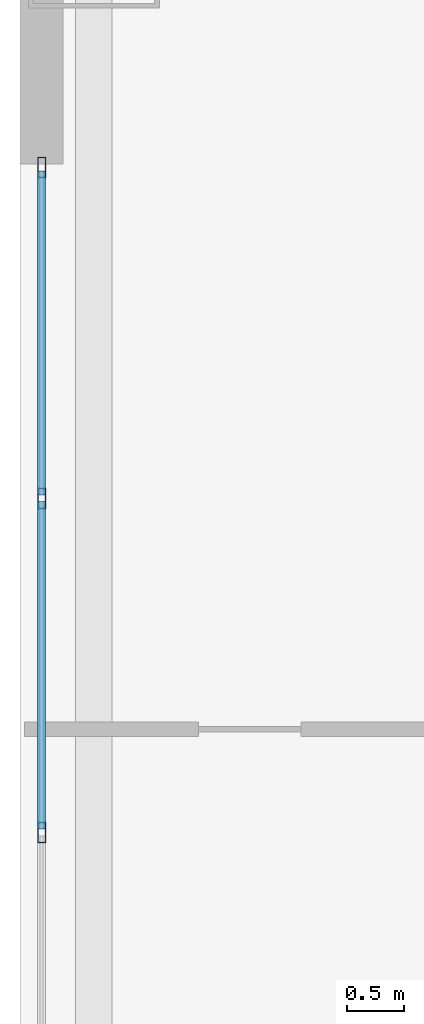
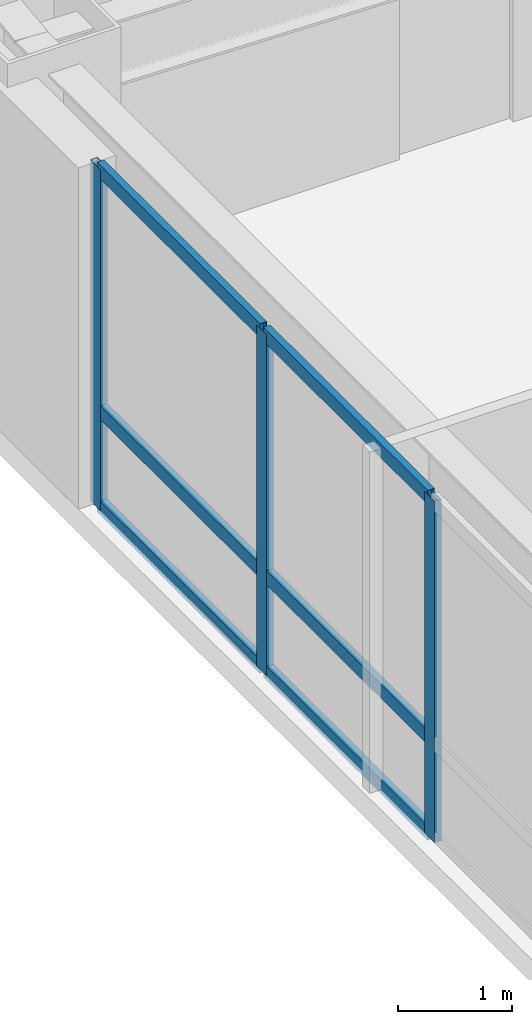
# One storey, part 7 of 28: 9 members, 1 element without a shape of its own.
"""IFC4 building model written with IfcOpenShell, lengths in metres."""

from ifc_helpers import new_model, si_unit, direction, frame, origin, origin_2d, place, context, subcontext, project, spatial, hollow_rectangle, extrude, material, layer, layer_set, material_profile, profile_set, type_object, element, aggregate, save


model = new_model("IFC4")

# Units and contexts
model_context = context("Model", 3, precision=1e-05, world=origin(), true_north=direction((0.0, 1.0)))
body_context = subcontext(model_context, "Body", "Model", "MODEL_VIEW")
ifc_project = project(units=[si_unit("LENGTHUNIT", "METRE"), si_unit("AREAUNIT", "SQUARE_METRE"), si_unit("VOLUMEUNIT", "CUBIC_METRE"), si_unit("PLANEANGLEUNIT", "RADIAN"), si_unit("MASSUNIT", "GRAM", prefix="KILO")], contexts=[model_context])

# Site, building, storey
site_placement = place(None, origin())
site = spatial("IfcSite", under=ifc_project, at=site_placement, CompositionType="ELEMENT")
building_placement = place(site_placement, origin())
building = spatial("IfcBuilding", under=site, at=building_placement, Name="Voryun Gate Residences", CompositionType="ELEMENT")
storey_placement = place(building_placement, frame((0.0, 0.0, 61.10009765625)))
storey = spatial("IfcBuildingStorey", under=building, at=storey_placement, Name="L14", CompositionType="ELEMENT", Elevation=61.10009765625)

# Curtain wall, members
ifc_material_1 = material(Name="Anodised aluminium", Category="aluminium")
ifc_layer = layer(ifc_material_1, 0.179931640625, Name="CW_SYS_RES_A_DARK_GLASS")
ifc_layer_set = layer_set([ifc_layer], Name="Anodised aluminium")
curtain_wall_type = type_object("IfcCurtainWallType", Name="CW_SYS_RES_A_DARK_GLASS", PredefinedType="NOTDEFINED", material=ifc_layer_set)
curtain_wall_placement = place(storey_placement, origin())
curtain_wall = element("IfcCurtainWall", 1, at=curtain_wall_placement, inside=storey, type_object=curtain_wall_type, Name="Curtain wall CWT-L14-06", PredefinedType="NOTDEFINED")
ifc_material_2 = material(Name="Anodised aluminium", Category="aluminium")
ifc_material_profile_1 = material_profile(ifc_material_2, hollow_rectangle(XDim=0.070068359375, YDim=0.179931640625, WallThickness=0.00390625, at=origin_2d()), Name="ALU-MULL-180x70x4")
ifc_profile_set_1 = profile_set([ifc_material_profile_1], Name="Anodised aluminium")
member_type_1 = type_object("IfcMemberType", Name="CW_MULL_RES", PredefinedType="MULLION", material=ifc_profile_set_1)
member_1_placement = place(storey_placement, frame((-33.409912109375, 0.0, 0.0), z_axis=(0.0, 0.0, 1.0), x_axis=(-1.0, 0.0, 0.0)))
member_1 = element("IfcMember", 2, at=member_1_placement, type_object=member_type_1, Name="CW3 mullion 3", PredefinedType="MULLION", context=body_context, shape_type="SweptSolid", body=[
    extrude(hollow_rectangle(XDim=0.070068359375, YDim=0.179931640625, WallThickness=0.00390625, at=origin_2d()), origin(), (0.0, 0.0, 1.0), 3.64990234375),
])
member_2_placement = place(storey_placement, frame((-33.409912109375, 2.94091796875, 0.0), z_axis=(0.0, 0.0, 1.0), x_axis=(-1.0, 0.0, 0.0)))
member_2 = element("IfcMember", 3, at=member_2_placement, type_object=member_type_1, Name="CW3 mullion 4", PredefinedType="MULLION", context=body_context, shape_type="SweptSolid", body=[
    extrude(hollow_rectangle(XDim=0.070068359375, YDim=0.179931640625, WallThickness=0.00390625, at=origin_2d()), origin(), (0.0, 0.0, 1.0), 3.64990234375),
])
member_3_placement = place(storey_placement, frame((-33.409912109375, 5.85205078125, 0.0), z_axis=(0.0, 0.0, 1.0), x_axis=(-1.0, 0.0, 0.0)))
member_3 = element("IfcMember", 4, at=member_3_placement, type_object=member_type_1, Name="CW3 mullion 5", PredefinedType="MULLION", context=body_context, shape_type="SweptSolid", body=[
    extrude(hollow_rectangle(XDim=0.070068359375, YDim=0.179931640625, WallThickness=0.00390625, at=origin_2d()), origin(), (0.0, 0.0, 1.0), 3.64990234375),
])
ifc_material_3 = material(Name="Anodised aluminium", Category="aluminium")
ifc_material_profile_2 = material_profile(ifc_material_3, hollow_rectangle(XDim=0.070068359375, YDim=0.14990234375, WallThickness=0.00390625, at=origin_2d()), Name="ALU-TRAN-150x70x4")
ifc_profile_set_2 = profile_set([ifc_material_profile_2], Name="Anodised aluminium")
member_type_2 = type_object("IfcMemberType", Name="CW_TRAN_RES", PredefinedType="USERDEFINED", material=ifc_profile_set_2)
member_4_placement = place(storey_placement, frame((-33.409912109375, 0.030029296875, 0.02978515625), z_axis=(0.0, 1.0, 0.0), x_axis=(-1.0, 0.0, 0.0)))
member_4 = element("IfcMember", 5, at=member_4_placement, type_object=member_type_2, Name="CW3 transom 3.1", ObjectType="TRANSOM", PredefinedType="USERDEFINED", context=body_context, shape_type="SweptSolid", body=[
    extrude(hollow_rectangle(XDim=0.070068359375, YDim=0.14990234375, WallThickness=0.00390625, at=origin_2d()), origin(), (0.0, 0.0, 1.0), 2.880859375),
])
member_5_placement = place(storey_placement, frame((-33.409912109375, 0.030029296875, 1.0498046875), z_axis=(0.0, 1.0, 0.0), x_axis=(-1.0, 0.0, 0.0)))
member_5 = element("IfcMember", 6, at=member_5_placement, type_object=member_type_2, Name="CW3 transom 3.2", ObjectType="TRANSOM", PredefinedType="USERDEFINED", context=body_context, shape_type="SweptSolid", body=[
    extrude(hollow_rectangle(XDim=0.070068359375, YDim=0.14990234375, WallThickness=0.00390625, at=origin_2d()), origin(), (0.0, 0.0, 1.0), 2.880859375),
])
member_6_placement = place(storey_placement, frame((-33.409912109375, 0.030029296875, 3.619873046875), z_axis=(0.0, 1.0, 0.0), x_axis=(-1.0, 0.0, 0.0)))
member_6 = element("IfcMember", 7, at=member_6_placement, type_object=member_type_2, Name="CW3 transom 3.3", ObjectType="TRANSOM", PredefinedType="USERDEFINED", context=body_context, shape_type="SweptSolid", body=[
    extrude(hollow_rectangle(XDim=0.070068359375, YDim=0.14990234375, WallThickness=0.00390625, at=origin_2d()), origin(), (0.0, 0.0, 1.0), 2.880859375),
])
member_7_placement = place(storey_placement, frame((-33.409912109375, 2.970947265625, 0.02978515625), z_axis=(0.0, 1.0, 0.0), x_axis=(-1.0, 0.0, 0.0)))
member_7 = element("IfcMember", 8, at=member_7_placement, type_object=member_type_2, Name="CW3 transom 4.1", ObjectType="TRANSOM", PredefinedType="USERDEFINED", context=body_context, shape_type="SweptSolid", body=[
    extrude(hollow_rectangle(XDim=0.070068359375, YDim=0.14990234375, WallThickness=0.00390625, at=origin_2d()), origin(), (0.0, 0.0, 1.0), 2.85107421875),
])
member_8_placement = place(storey_placement, frame((-33.409912109375, 2.970947265625, 1.0498046875), z_axis=(0.0, 1.0, 0.0), x_axis=(-1.0, 0.0, 0.0)))
member_8 = element("IfcMember", 9, at=member_8_placement, type_object=member_type_2, Name="CW3 transom 4.2", ObjectType="TRANSOM", PredefinedType="USERDEFINED", context=body_context, shape_type="SweptSolid", body=[
    extrude(hollow_rectangle(XDim=0.070068359375, YDim=0.14990234375, WallThickness=0.00390625, at=origin_2d()), origin(), (0.0, 0.0, 1.0), 2.85107421875),
])
member_9_placement = place(storey_placement, frame((-33.409912109375, 2.970947265625, 3.619873046875), z_axis=(0.0, 1.0, 0.0), x_axis=(-1.0, 0.0, 0.0)))
member_9 = element("IfcMember", 10, at=member_9_placement, type_object=member_type_2, Name="CW3 transom 4.3", ObjectType="TRANSOM", PredefinedType="USERDEFINED", context=body_context, shape_type="SweptSolid", body=[
    extrude(hollow_rectangle(XDim=0.070068359375, YDim=0.14990234375, WallThickness=0.00390625, at=origin_2d()), origin(), (0.0, 0.0, 1.0), 2.85107421875),
])
aggregate(curtain_wall, [member_1, member_2, member_3, member_4, member_5, member_6, member_7, member_8, member_9])

save(model, "model.ifc")
